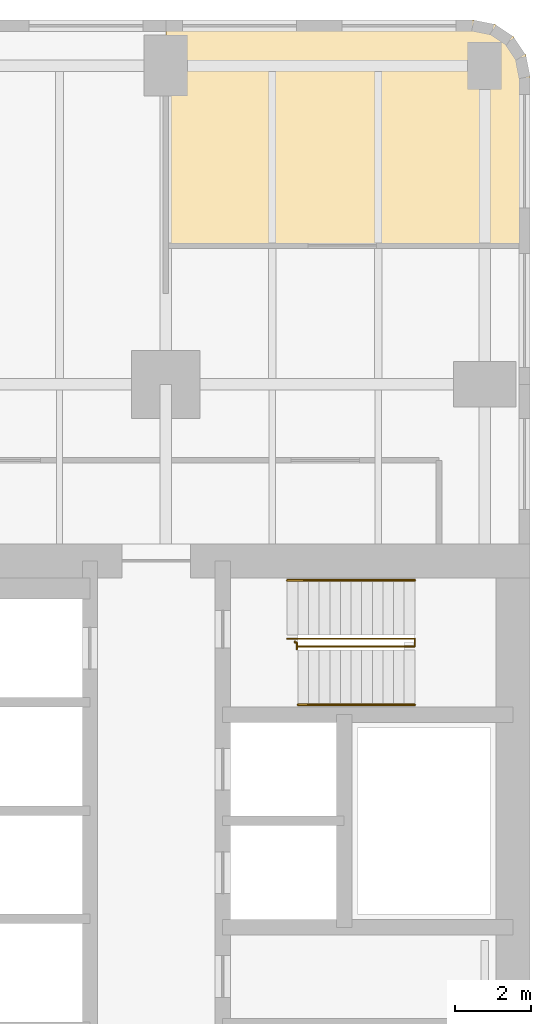
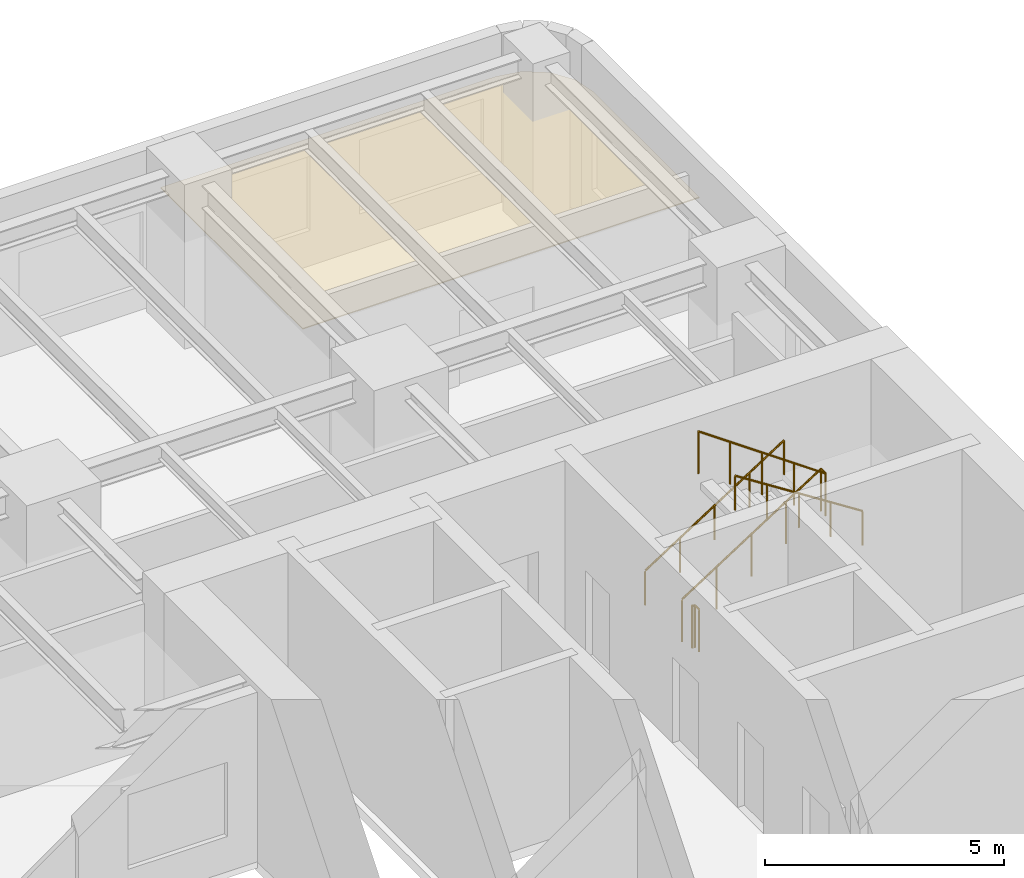
# One storey, part 14 of 14: 4 railings, 1 covering.
"""IFC4 building model written with IfcOpenShell, lengths in metres."""

from ifc_helpers import new_model, si_unit, direction, frame, origin, origin_2d, place, context, subcontext, project, spatial, polyline, circle, outline, extrude, material, layer, layer_set, type_object, element, save


model = new_model("IFC4")

# Units and contexts
model_context = context("Model", 3, precision=1e-05, world=origin(), true_north=direction((0.0, 1.0)))
body_context = subcontext(model_context, "Body", "Model", "MODEL_VIEW")
ifc_project = project(units=[si_unit("LENGTHUNIT", "METRE"), si_unit("AREAUNIT", "SQUARE_METRE"), si_unit("VOLUMEUNIT", "CUBIC_METRE"), si_unit("PLANEANGLEUNIT", "RADIAN"), si_unit("MASSUNIT", "GRAM", prefix="KILO")], contexts=[model_context])

# Site, building, storey
site_placement = place(None, origin())
site = spatial("IfcSite", under=ifc_project, at=site_placement, CompositionType="ELEMENT")
building_placement = place(site_placement, origin())
building = spatial("IfcBuilding", under=site, at=building_placement, Name="Claustro Exchange Tower", CompositionType="ELEMENT")
storey_placement = place(building_placement, frame((0.0, 0.0, 54.89990234375)))
storey = spatial("IfcBuildingStorey", under=building, at=storey_placement, Name="L12", CompositionType="ELEMENT", Elevation=54.89990234375)

# Covering
ifc_material_1 = material(Name="Gypsum board ceiling", Category="gypsum board")
ifc_layer = layer(ifc_material_1, 0.02490234375)
ifc_layer_set = layer_set([ifc_layer], Name="Gypsum board ceiling")
covering_type = type_object("IfcCoveringType", Name="CL2 plasterboard ceiling", PredefinedType="CEILING", material=ifc_layer_set)
covering_placement = place(storey_placement, frame((0.0, 0.0, 3.0)))
element("IfcCovering", 1, at=covering_placement, inside=storey, type_object=covering_type, Name="Ceiling CL2 L12-21", PredefinedType="CEILING", context=body_context, shape_type="SweptSolid", body=[
    extrude(outline(polyline([(50.10009765625, 51.60009765625), (42.0, 51.60009765625), (42.0, 45.64990234375), (51.60009765625, 45.64990234375), (51.60009765625, 50.10009765625), (51.48583984375, 50.674072265625), (51.16064453125, 51.16064453125), (50.674072265625, 51.48583984375), (50.10009765625, 51.60009765625)])), origin(), (0.0, 0.0, 1.0), 0.025146484375),
])

# Railings
ifc_material_2 = material(Name="Steel balustrade, painted", Category="steel")
railing_type_1 = type_object("IfcRailingType", Name="GR2 1100 steel stair guard", PredefinedType="GUARDRAIL", material=ifc_material_2)
railing_1_placement = place(storey_placement, frame((45.199951171875, 35.300048828125, 0.18017578125)))
element("IfcRailing", 2, at=railing_1_placement, inside=storey, type_object=railing_type_1, Name="Stair well guard GR2 stair STEB L12", PredefinedType="GUARDRAIL", context=body_context, shape_type="SweptSolid", body=[
    extrude(circle(Radius=0.02392578125, at=origin_2d()), frame((0.0, 0.0, 1.076171875), z_axis=(0.84119634759, 0.0, 0.540729789082), x_axis=(0.0, 1.0, 0.0)), (0.0, 0.0, 1.0), 3.994384765625),
    extrude(circle(Radius=0.02392578125, at=origin_2d()), frame((3.360107421875, 0.0, 3.23583984375), z_axis=(0.0, -1.0, 0.0), x_axis=(1.0, 0.0, 0.0)), (0.0, 0.0, 1.0), 0.199951171875),
    extrude(circle(Radius=0.02392578125, at=origin_2d()), frame((3.360107421875, -0.199951171875, 3.23583984375), z_axis=(-0.8187499073, 0.0, 0.574150319426), x_axis=(0.0, -1.0, 0.0)), (0.0, 0.0, 1.0), 3.761962890625),
    extrude(circle(Radius=0.02099609375, at=origin_2d()), origin(), (0.0, 0.0, 1.0), 1.052001953125),
    extrude(circle(Radius=0.02099609375, at=origin_2d()), frame((0.840087890625, 0.0, 0.5400390625)), (0.0, 0.0, 1.0), 1.052001953125),
    extrude(circle(Radius=0.02099609375, at=origin_2d()), frame((1.68017578125, 0.0, 1.080078125)), (0.0, 0.0, 1.0), 1.052001953125),
    extrude(circle(Radius=0.02099609375, at=origin_2d()), frame((2.52001953125, 0.0, 1.619873046875)), (0.0, 0.0, 1.0), 1.052001953125),
    extrude(circle(Radius=0.02099609375, at=origin_2d()), frame((3.360107421875, 0.0, 2.159912109375)), (0.0, 0.0, 1.0), 1.052001953125),
    extrude(circle(Radius=0.02099609375, at=origin_2d()), frame((3.360107421875, -0.199951171875, 2.159912109375)), (0.0, 0.0, 1.0), 1.052001953125),
    extrude(circle(Radius=0.02099609375, at=origin_2d()), frame((2.590087890625, -0.199951171875, 2.699951171875)), (0.0, 0.0, 1.0), 1.052001953125),
    extrude(circle(Radius=0.02099609375, at=origin_2d()), frame((1.820068359375, -0.199951171875, 3.23974609375)), (0.0, 0.0, 1.0), 1.052001953125),
    extrude(circle(Radius=0.02099609375, at=origin_2d()), frame((1.050048828125, -0.199951171875, 3.77978515625)), (0.0, 0.0, 1.0), 1.052001953125),
    extrude(circle(Radius=0.02099609375, at=origin_2d()), frame((0.280029296875, -0.199951171875, 4.31982421875)), (0.0, 0.0, 1.0), 1.052001953125),
])
railing_2_placement = place(storey_placement, frame((45.39990234375, 35.22998046875, 0.0)))
element("IfcRailing", 3, at=railing_2_placement, inside=storey, type_object=railing_type_1, Name="Stair guard GR2 STEB L12", PredefinedType="GUARDRAIL", context=body_context, shape_type="SweptSolid", body=[
    extrude(circle(Radius=0.02392578125, at=origin_2d()), frame((0.0, 0.0, 1.076171875), z_axis=(0.0, -1.0, 0.0), x_axis=(1.0, 0.0, 0.0)), (0.0, 0.0, 1.0), 0.030029296875),
    extrude(circle(Radius=0.02392578125, at=origin_2d()), frame((0.0, -0.030029296875, 1.076171875), z_axis=(1.0, 0.0, 0.0), x_axis=(0.0, 1.0, 0.0)), (0.0, 0.0, 1.0), 0.05517578125),
    extrude(circle(Radius=0.02392578125, at=origin_2d()), frame((0.05517578125, -0.030029296875, 1.076171875), z_axis=(0.0, -1.0, 0.0), x_axis=(1.0, 0.0, 0.0)), (0.0, 0.0, 1.0), 0.179931640625),
    extrude(circle(Radius=0.02099609375, at=origin_2d()), origin(), (0.0, 0.0, 1.0), 1.052001953125),
    extrude(circle(Radius=0.02099609375, at=origin_2d()), frame((0.0, -0.030029296875, 0.0)), (0.0, 0.0, 1.0), 1.052001953125),
    extrude(circle(Radius=0.02099609375, at=origin_2d()), frame((0.05517578125, -0.030029296875, 0.0)), (0.0, 0.0, 1.0), 1.052001953125),
    extrude(circle(Radius=0.02099609375, at=origin_2d()), frame((0.05517578125, -0.2099609375, 0.0)), (0.0, 0.0, 1.0), 1.052001953125),
])
ifc_material_3 = material(Name="Stainless steel tube", Category="steel")
railing_type_2 = type_object("IfcRailingType", Name="HR1 900 stair handrail", PredefinedType="HANDRAIL", material=ifc_material_3)
railing_3_placement = place(storey_placement, frame((45.199951171875, 36.840087890625, 0.18017578125)))
element("IfcRailing", 4, at=railing_3_placement, inside=storey, type_object=railing_type_2, Name="Handrail HR1 stair STEB L12", PredefinedType="HANDRAIL", context=body_context, shape_type="SweptSolid", body=[
    extrude(circle(Radius=0.02392578125, at=origin_2d()), frame((0.0, 0.0, 0.8759765625), z_axis=(0.84119634759, 0.0, 0.540729789082), x_axis=(0.0, 1.0, 0.0)), (0.0, 0.0, 1.0), 3.994384765625),
    extrude(circle(Radius=0.02099609375, at=origin_2d()), origin(), (0.0, 0.0, 1.0), 0.851806640625),
    extrude(circle(Radius=0.02099609375, at=origin_2d()), frame((0.840087890625, 0.0, 0.5400390625)), (0.0, 0.0, 1.0), 0.851806640625),
    extrude(circle(Radius=0.02099609375, at=origin_2d()), frame((1.68017578125, 0.0, 1.080078125)), (0.0, 0.0, 1.0), 0.851806640625),
    extrude(circle(Radius=0.02099609375, at=origin_2d()), frame((2.52001953125, 0.0, 1.619873046875)), (0.0, 0.0, 1.0), 0.851806640625),
    extrude(circle(Radius=0.02099609375, at=origin_2d()), frame((3.360107421875, 0.0, 2.159912109375)), (0.0, 0.0, 1.0), 0.851806640625),
])
railing_4_placement = place(storey_placement, frame((48.56005859375, 33.56005859375, 2.52001953125)))
element("IfcRailing", 5, at=railing_4_placement, inside=storey, type_object=railing_type_2, Name="Handrail HR1 stair STEB L12", PredefinedType="HANDRAIL", context=body_context, shape_type="SweptSolid", body=[
    extrude(circle(Radius=0.02392578125, at=origin_2d()), frame((0.0, 0.0, 0.8759765625), z_axis=(-0.84118714077, 0.0, 0.540744111576), x_axis=(0.0, -1.0, 0.0)), (0.0, 0.0, 1.0), 3.66162109375),
    extrude(circle(Radius=0.02099609375, at=origin_2d()), origin(), (0.0, 0.0, 1.0), 0.851806640625),
    extrude(circle(Radius=0.02099609375, at=origin_2d()), frame((-0.77001953125, 0.0, 0.4951171875)), (0.0, 0.0, 1.0), 0.851806640625),
    extrude(circle(Radius=0.02099609375, at=origin_2d()), frame((-1.5400390625, 0.0, 0.989990234375)), (0.0, 0.0, 1.0), 0.851806640625),
    extrude(circle(Radius=0.02099609375, at=origin_2d()), frame((-2.31005859375, 0.0, 1.48486328125)), (0.0, 0.0, 1.0), 0.851806640625),
    extrude(circle(Radius=0.02099609375, at=origin_2d()), frame((-3.080078125, 0.0, 1.97998046875)), (0.0, 0.0, 1.0), 0.851806640625),
])

save(model, "model.ifc")
